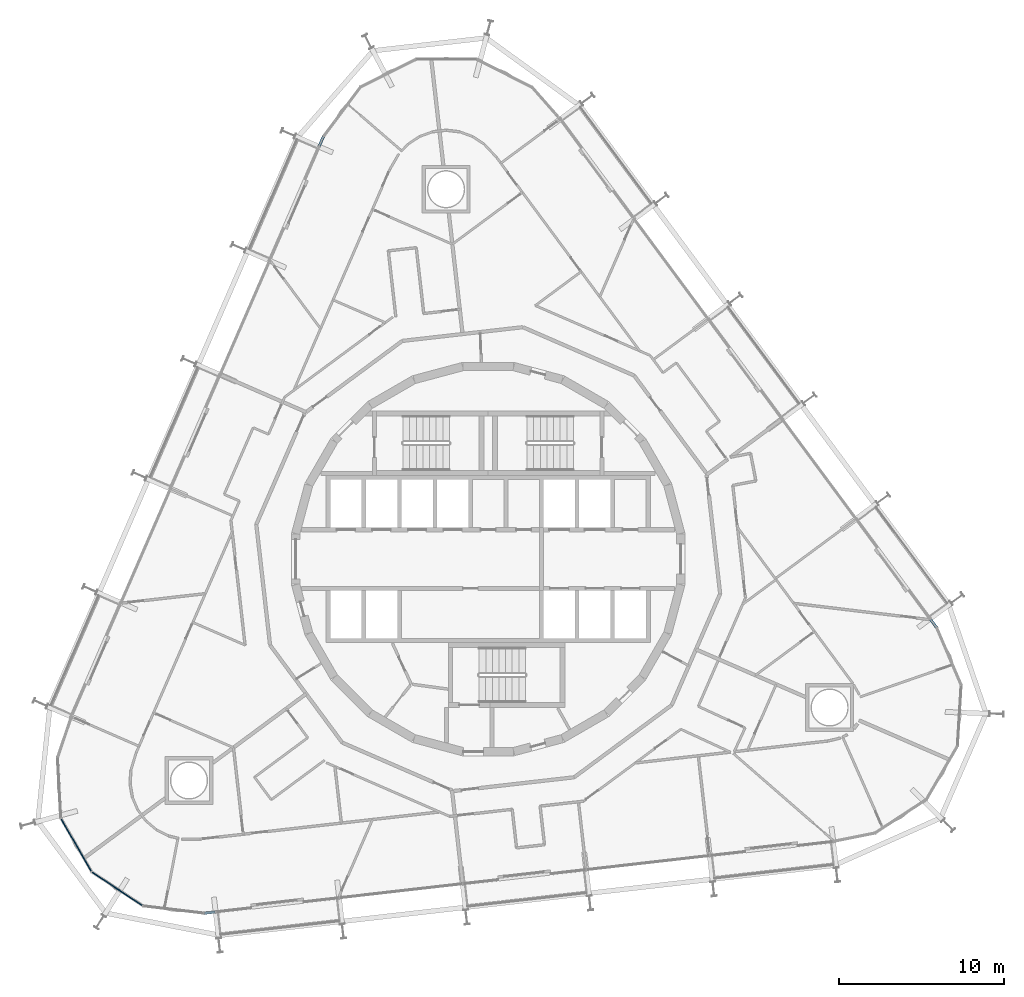
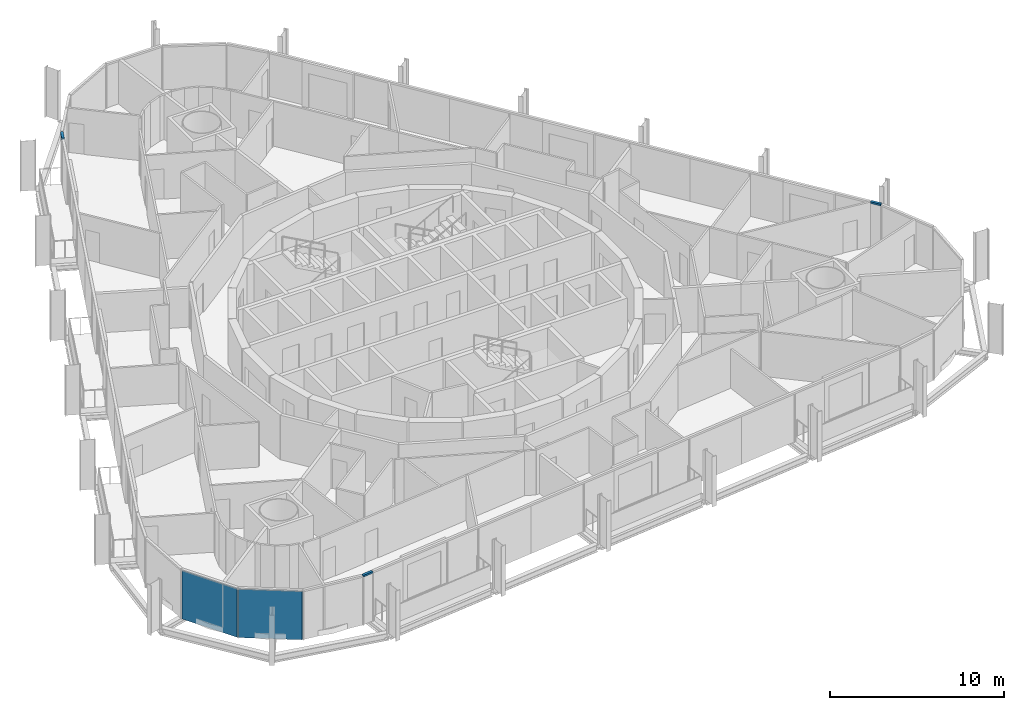
# One storey, part 12 of 24: 3 members, 2 plates, 3 elements without a shape of their own.
"""IFC4 building model written with IfcOpenShell, lengths in metres."""

from ifc_helpers import new_model, si_unit, direction, frame, origin, origin_2d, place, context, subcontext, project, spatial, rectangle, extrude, material, layer, layer_set, material_profile, profile_set, type_object, element, aggregate, save


model = new_model("IFC4")

# Units and contexts
model_context = context("Model", 3, precision=1e-05, world=origin(), true_north=direction((0.0, 1.0)))
body_context = subcontext(model_context, "Body", "Model", "MODEL_VIEW")
ifc_project = project(units=[si_unit("LENGTHUNIT", "METRE"), si_unit("AREAUNIT", "SQUARE_METRE"), si_unit("VOLUMEUNIT", "CUBIC_METRE"), si_unit("PLANEANGLEUNIT", "RADIAN"), si_unit("MASSUNIT", "GRAM", prefix="KILO")], contexts=[model_context])

# Site, building, storey
site_placement = place(None, origin())
site = spatial("IfcSite", under=ifc_project, at=site_placement, CompositionType="ELEMENT")
building_placement = place(site_placement, origin())
building = spatial("IfcBuilding", under=site, at=building_placement, Name="Spindle Arch Residences", CompositionType="ELEMENT")
storey_placement = place(building_placement, frame((0.0, 0.0, 94.199951171875)))
storey = spatial("IfcBuildingStorey", under=building, at=storey_placement, Name="L22", CompositionType="ELEMENT", Elevation=94.199951171875)

# Curtain wall, member
ifc_material_1 = material(Name="Aluminium bronze unitised frame with tinted glass", Category="aluminium")
ifc_layer_1 = layer(ifc_material_1, 0.159912109375)
ifc_layer_set_1 = layer_set([ifc_layer_1], Name="CW-D corner wall on the fillet arcs")
curtain_wall_type = type_object("IfcCurtainWallType", Name="CW-D corner wall on the fillet arcs", PredefinedType="NOTDEFINED", material=ifc_layer_set_1)
curtain_wall_1_placement = place(storey_placement, origin())
curtain_wall_1 = element("IfcCurtainWall", 1, at=curtain_wall_1_placement, inside=storey, type_object=curtain_wall_type, Name="CW-D L22 run 1", PredefinedType="NOTDEFINED")
ifc_material_2 = material(Name="Aluminium bronze anodised transom", Category="aluminium")
ifc_material_profile = material_profile(ifc_material_2, rectangle(XDim=0.159912109375, YDim=0.1201171875, at=origin_2d()), Name="TR 120x160")
ifc_profile_set = profile_set([ifc_material_profile], Name="Aluminium bronze anodised transom")
member_type = type_object("IfcMemberType", Name="Bronze transom 120x160", PredefinedType="USERDEFINED", material=ifc_profile_set)
member_1_placement = place(storey_placement, frame((27.125, -4.1474609375, 3.06005859375), z_axis=(-0.594872516249, 0.803820060344, 0.0), x_axis=(-0.803820060344, -0.594872516249, 0.0)))
member_1 = element("IfcMember", 2, at=member_1_placement, type_object=member_type, Name="CW-D transom 05", ObjectType="TRANSOM", PredefinedType="USERDEFINED", context=body_context, shape_type="SweptSolid", body=[
    extrude(rectangle(XDim=0.159912109375, YDim=0.1201171875, at=origin_2d()), origin(), (0.0, 0.0, 1.0), 0.641357421875),
])
aggregate(curtain_wall_1, [member_1])

curtain_wall_2_placement = place(storey_placement, origin())
curtain_wall_2 = element("IfcCurtainWall", 3, at=curtain_wall_2_placement, inside=storey, type_object=curtain_wall_type, Name="CW-D L22 run 3", PredefinedType="NOTDEFINED")
member_2_placement = place(storey_placement, frame((-9.970703125, 25.564697265625, 3.06005859375), z_axis=(-0.398461689222, -0.917184977102, 0.0), x_axis=(0.917184977102, -0.398461689222, 0.0)))
member_2 = element("IfcMember", 4, at=member_2_placement, type_object=member_type, Name="CW-D transom 05", ObjectType="TRANSOM", PredefinedType="USERDEFINED", context=body_context, shape_type="SweptSolid", body=[
    extrude(rectangle(XDim=0.159912109375, YDim=0.1201171875, at=origin_2d()), origin(), (0.0, 0.0, 1.0), 0.6416015625),
])
aggregate(curtain_wall_2, [member_2])

# Curtain wall, member, plates
curtain_wall_3_placement = place(storey_placement, origin())
curtain_wall_3 = element("IfcCurtainWall", 5, at=curtain_wall_3_placement, inside=storey, type_object=curtain_wall_type, Name="CW-D L22 run 5", PredefinedType="NOTDEFINED")
member_3_placement = place(storey_placement, frame((-17.154296875, -21.417236328125, 3.06005859375), z_axis=(0.993549832432, 0.113396342422, 0.0), x_axis=(-0.113396342422, 0.993549832432, 0.0)))
member_3 = element("IfcMember", 6, at=member_3_placement, type_object=member_type, Name="CW-D transom 05", ObjectType="TRANSOM", PredefinedType="USERDEFINED", context=body_context, shape_type="SweptSolid", body=[
    extrude(rectangle(XDim=0.159912109375, YDim=0.1201171875, at=origin_2d()), origin(), (0.0, 0.0, 1.0), 0.6416015625),
])
ifc_material_3 = material(Name="Tinted double glazing over aluminium faced non-combustible spandrel zone (K0)", Category="aluminium")
ifc_layer_2 = layer(ifc_material_3, 0.06005859375)
ifc_layer_set_2 = layer_set([ifc_layer_2], Name="Unitised glass panel with E 60 spandrel zone")
plate_type = type_object("IfcPlateType", Name="Unitised glass panel with E 60 spandrel zone", PredefinedType="CURTAIN_PANEL", material=ifc_layer_set_2)
plate_1_placement = place(storey_placement, frame((-24.919189453125, -17.3037109375, -0.3798828125), z_axis=(0.0, 0.0, 1.0), x_axis=(0.497478721595, -0.867476179247, 0.0)))
plate_1 = element("IfcPlate", 7, at=plate_1_placement, type_object=plate_type, Name="CW-D unit 02", PredefinedType="CURTAIN_PANEL", context=body_context, shape_type="SweptSolid", body=[
    extrude(rectangle(XDim=3.666748046875, YDim=0.06005859375, at=origin_2d()), origin(), (0.0, 0.0, 1.0), 3.3798828125),
])
plate_2_placement = place(storey_placement, frame((-22.438232421875, -19.94873046875, -0.3798828125), z_axis=(0.0, 0.0, 1.0), x_axis=(0.833885820352, -0.551936987903, 0.0)))
plate_2 = element("IfcPlate", 8, at=plate_2_placement, type_object=plate_type, Name="CW-D unit 03", PredefinedType="CURTAIN_PANEL", context=body_context, shape_type="SweptSolid", body=[
    extrude(rectangle(XDim=3.666748046875, YDim=0.06005859375, at=origin_2d()), origin(), (0.0, 0.0, 1.0), 3.3798828125),
])
aggregate(curtain_wall_3, [plate_1, plate_2, member_3])

save(model, "model.ifc")
